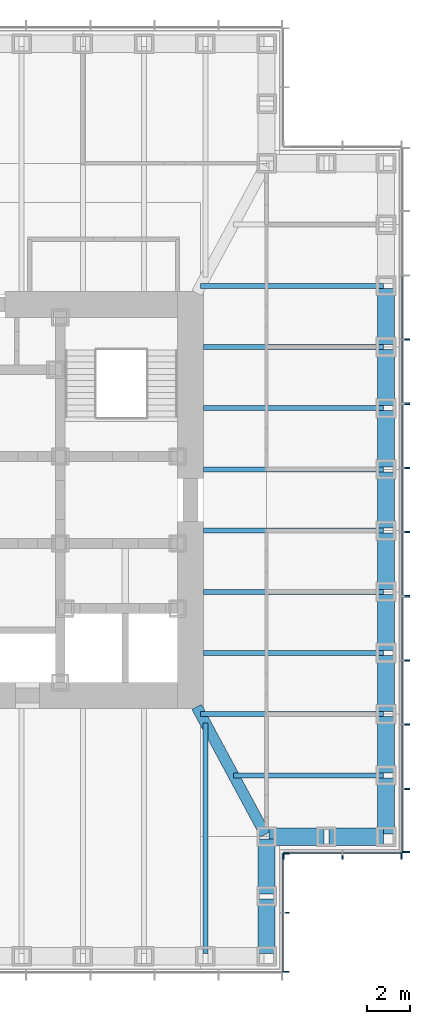
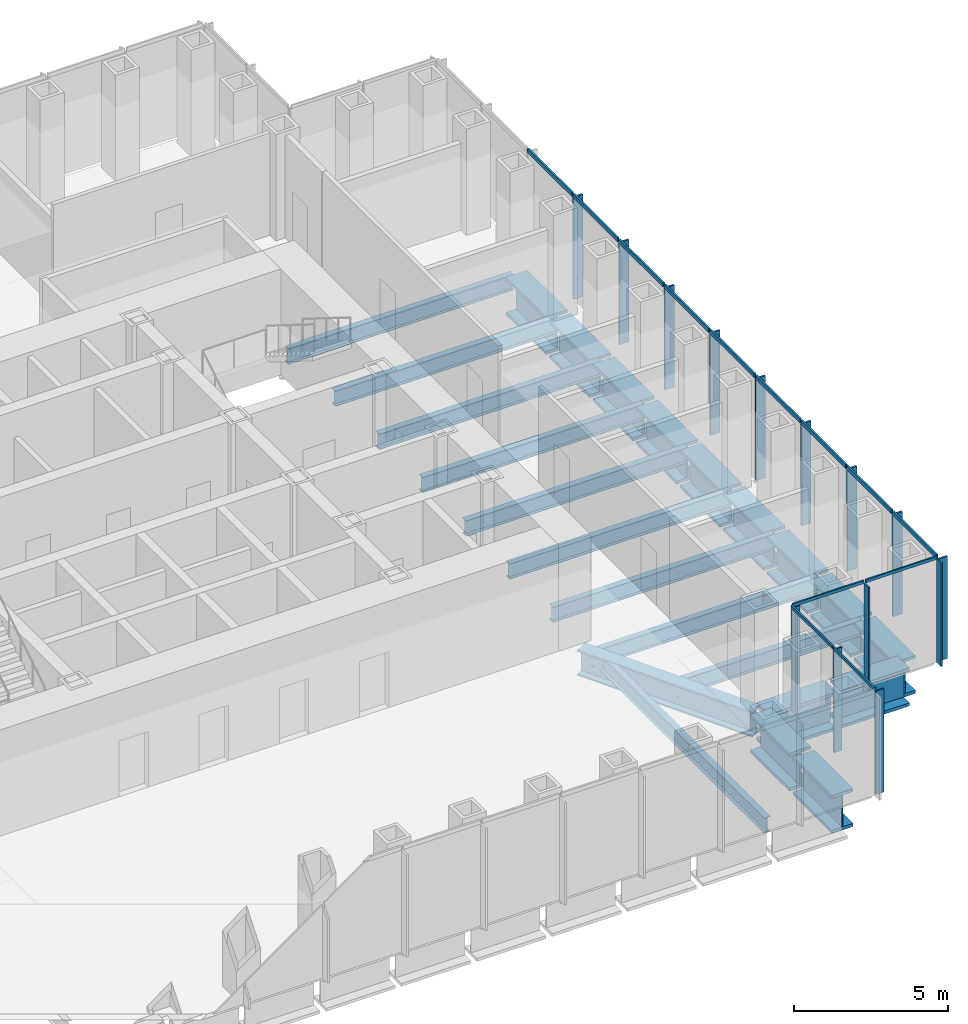
# One storey, part 4 of 16: 28 members, 24 beams, 3 elements without a shape of their own.
"""IFC4 building model written with IfcOpenShell, lengths in metres."""

from ifc_helpers import new_model, si_unit, direction, frame, origin, origin_2d, place, context, subcontext, project, spatial, rectangle, i_section, extrude, material, material_profile, profile_set, type_object, element, aggregate, save


model = new_model("IFC4")

# Units and contexts
model_context = context("Model", 3, precision=1e-05, world=origin(), true_north=direction((0.0, 1.0)))
body_context = subcontext(model_context, "Body", "Model", "MODEL_VIEW")
ifc_project = project(units=[si_unit("LENGTHUNIT", "METRE"), si_unit("AREAUNIT", "SQUARE_METRE"), si_unit("VOLUMEUNIT", "CUBIC_METRE"), si_unit("PLANEANGLEUNIT", "RADIAN"), si_unit("MASSUNIT", "GRAM", prefix="KILO")], contexts=[model_context])

# Site, building, storey
site_placement = place(None, origin())
site = spatial("IfcSite", under=ifc_project, at=site_placement, CompositionType="ELEMENT")
building_placement = place(site_placement, origin())
building = spatial("IfcBuilding", under=site, at=building_placement, Name="Daluyong Arena Tower", CompositionType="ELEMENT")
storey_placement = place(building_placement, frame((0.0, 0.0, 210.699951171875)))
storey = spatial("IfcBuildingStorey", under=building, at=storey_placement, Name="L47", CompositionType="ELEMENT", Elevation=210.699951171875)

# Curtain wall, members
ifc_material_1 = material(Name="Bronze anodised aluminium and glass", Category="aluminium")
curtain_wall_type_1 = type_object("IfcCurtainWallType", Name="Curtain wall CW3", PredefinedType="USERDEFINED", material=ifc_material_1)
curtain_wall_1_placement = place(storey_placement, origin())
curtain_wall_1 = element("IfcCurtainWall", 1, at=curtain_wall_1_placement, inside=storey, type_object=curtain_wall_type_1, Name="curtain wall L47 E", ObjectType="UNITISED CURTAIN WALL", PredefinedType="USERDEFINED")
ifc_material_2 = material(Name="Bronze anodised aluminium fin", Category="aluminium")
ifc_material_profile_1 = material_profile(ifc_material_2, rectangle(XDim=0.35009765625, YDim=0.070068359375, at=origin_2d()))
ifc_profile_set_1 = profile_set([ifc_material_profile_1], Name="Bronze anodised aluminium fin")
member_type_1 = type_object("IfcMemberType", Name="CW3 bronze fin 350x70", PredefinedType="MULLION", material=ifc_profile_set_1)
member_1_placement = place(storey_placement, frame((77.925048828125, 63.784912109375, 0.0), z_axis=(0.0, 0.0, 1.0), x_axis=(-1.0, 0.0, 0.0)))
member_1 = element("IfcMember", 2, at=member_1_placement, type_object=member_type_1, Name="curtain wall L47 E fin 1", PredefinedType="MULLION", context=body_context, shape_type="SweptSolid", body=[
    extrude(rectangle(XDim=0.35009765625, YDim=0.070068359375, at=origin_2d()), origin(), (0.0, 0.0, 1.0), 4.0400390625),
])
member_2_placement = place(storey_placement, frame((77.925048828125, 66.70458984375, 0.0), z_axis=(0.0, 0.0, 1.0), x_axis=(-1.0, 0.0, 0.0)))
member_2 = element("IfcMember", 3, at=member_2_placement, type_object=member_type_1, Name="curtain wall L47 E fin 2", PredefinedType="MULLION", context=body_context, shape_type="SweptSolid", body=[
    extrude(rectangle(XDim=0.35009765625, YDim=0.070068359375, at=origin_2d()), origin(), (0.0, 0.0, 1.0), 4.0400390625),
])
member_3_placement = place(storey_placement, frame((77.925048828125, 69.6591796875, 0.0), z_axis=(0.0, 0.0, 1.0), x_axis=(-1.0, 0.0, 0.0)))
member_3 = element("IfcMember", 4, at=member_3_placement, type_object=member_type_1, Name="curtain wall L47 E fin 3", PredefinedType="MULLION", context=body_context, shape_type="SweptSolid", body=[
    extrude(rectangle(XDim=0.35009765625, YDim=0.070068359375, at=origin_2d()), origin(), (0.0, 0.0, 1.0), 4.0400390625),
])
member_4_placement = place(storey_placement, frame((77.925048828125, 72.613525390625, 0.0), z_axis=(0.0, 0.0, 1.0), x_axis=(-1.0, 0.0, 0.0)))
member_4 = element("IfcMember", 5, at=member_4_placement, type_object=member_type_1, Name="curtain wall L47 E fin 4", PredefinedType="MULLION", context=body_context, shape_type="SweptSolid", body=[
    extrude(rectangle(XDim=0.35009765625, YDim=0.070068359375, at=origin_2d()), origin(), (0.0, 0.0, 1.0), 4.0400390625),
])
member_5_placement = place(storey_placement, frame((77.925048828125, 75.568115234375, 0.0), z_axis=(0.0, 0.0, 1.0), x_axis=(-1.0, 0.0, 0.0)))
member_5 = element("IfcMember", 6, at=member_5_placement, type_object=member_type_1, Name="curtain wall L47 E fin 5", PredefinedType="MULLION", context=body_context, shape_type="SweptSolid", body=[
    extrude(rectangle(XDim=0.35009765625, YDim=0.070068359375, at=origin_2d()), origin(), (0.0, 0.0, 1.0), 4.0400390625),
])
member_6_placement = place(storey_placement, frame((77.925048828125, 78.522705078125, 0.0), z_axis=(0.0, 0.0, 1.0), x_axis=(-1.0, 0.0, 0.0)))
member_6 = element("IfcMember", 7, at=member_6_placement, type_object=member_type_1, Name="curtain wall L47 E fin 6", PredefinedType="MULLION", context=body_context, shape_type="SweptSolid", body=[
    extrude(rectangle(XDim=0.35009765625, YDim=0.070068359375, at=origin_2d()), origin(), (0.0, 0.0, 1.0), 4.0400390625),
])
member_7_placement = place(storey_placement, frame((77.925048828125, 81.477294921875, 0.0), z_axis=(0.0, 0.0, 1.0), x_axis=(-1.0, 0.0, 0.0)))
member_7 = element("IfcMember", 8, at=member_7_placement, type_object=member_type_1, Name="curtain wall L47 E fin 7", PredefinedType="MULLION", context=body_context, shape_type="SweptSolid", body=[
    extrude(rectangle(XDim=0.35009765625, YDim=0.070068359375, at=origin_2d()), origin(), (0.0, 0.0, 1.0), 4.0400390625),
])
member_8_placement = place(storey_placement, frame((77.925048828125, 84.431884765625, 0.0), z_axis=(0.0, 0.0, 1.0), x_axis=(-1.0, 0.0, 0.0)))
member_8 = element("IfcMember", 9, at=member_8_placement, type_object=member_type_1, Name="curtain wall L47 E fin 8", PredefinedType="MULLION", context=body_context, shape_type="SweptSolid", body=[
    extrude(rectangle(XDim=0.35009765625, YDim=0.070068359375, at=origin_2d()), origin(), (0.0, 0.0, 1.0), 4.0400390625),
])
member_9_placement = place(storey_placement, frame((77.925048828125, 87.386474609375, 0.0), z_axis=(0.0, 0.0, 1.0), x_axis=(-1.0, 0.0, 0.0)))
member_9 = element("IfcMember", 10, at=member_9_placement, type_object=member_type_1, Name="curtain wall L47 E fin 9", PredefinedType="MULLION", context=body_context, shape_type="SweptSolid", body=[
    extrude(rectangle(XDim=0.35009765625, YDim=0.070068359375, at=origin_2d()), origin(), (0.0, 0.0, 1.0), 4.0400390625),
])
ifc_material_3 = material(Name="Bronze anodised aluminium", Category="aluminium")
ifc_material_profile_2 = material_profile(ifc_material_3, rectangle(XDim=0.070068359375, YDim=0.159912109375, at=origin_2d()))
ifc_profile_set_2 = profile_set([ifc_material_profile_2], Name="Bronze anodised aluminium")
member_type_2 = type_object("IfcMemberType", Name="CW3 stack transom 160x70", PredefinedType="USERDEFINED", material=ifc_profile_set_2)
member_10_placement = place(storey_placement, frame((77.75, 63.820068359375, 4.1201171875), z_axis=(0.0, 1.0, 0.0), x_axis=(-1.0, 0.0, 0.0)))
member_10 = element("IfcMember", 11, at=member_10_placement, type_object=member_type_2, Name="curtain wall L47 E transom 1", ObjectType="TRANSOM", PredefinedType="USERDEFINED", context=body_context, shape_type="SweptSolid", body=[
    extrude(rectangle(XDim=0.070068359375, YDim=0.159912109375, at=origin_2d()), origin(), (0.0, 0.0, 1.0), 2.849365234375),
])
member_11_placement = place(storey_placement, frame((77.75, 66.739501953125, 4.1201171875), z_axis=(0.0, 1.0, 0.0), x_axis=(-1.0, 0.0, 0.0)))
member_11 = element("IfcMember", 12, at=member_11_placement, type_object=member_type_2, Name="curtain wall L47 E transom 2", ObjectType="TRANSOM", PredefinedType="USERDEFINED", context=body_context, shape_type="SweptSolid", body=[
    extrude(rectangle(XDim=0.070068359375, YDim=0.159912109375, at=origin_2d()), origin(), (0.0, 0.0, 1.0), 2.884521484375),
])
member_12_placement = place(storey_placement, frame((77.75, 69.694091796875, 4.1201171875), z_axis=(0.0, 1.0, 0.0), x_axis=(-1.0, 0.0, 0.0)))
member_12 = element("IfcMember", 13, at=member_12_placement, type_object=member_type_2, Name="curtain wall L47 E transom 3", ObjectType="TRANSOM", PredefinedType="USERDEFINED", context=body_context, shape_type="SweptSolid", body=[
    extrude(rectangle(XDim=0.070068359375, YDim=0.159912109375, at=origin_2d()), origin(), (0.0, 0.0, 1.0), 2.884521484375),
])
member_13_placement = place(storey_placement, frame((77.75, 72.648681640625, 4.1201171875), z_axis=(0.0, 1.0, 0.0), x_axis=(-1.0, 0.0, 0.0)))
member_13 = element("IfcMember", 14, at=member_13_placement, type_object=member_type_2, Name="curtain wall L47 E transom 4", ObjectType="TRANSOM", PredefinedType="USERDEFINED", context=body_context, shape_type="SweptSolid", body=[
    extrude(rectangle(XDim=0.070068359375, YDim=0.159912109375, at=origin_2d()), origin(), (0.0, 0.0, 1.0), 2.884521484375),
])
member_14_placement = place(storey_placement, frame((77.75, 75.603271484375, 4.1201171875), z_axis=(0.0, 1.0, 0.0), x_axis=(-1.0, 0.0, 0.0)))
member_14 = element("IfcMember", 15, at=member_14_placement, type_object=member_type_2, Name="curtain wall L47 E transom 5", ObjectType="TRANSOM", PredefinedType="USERDEFINED", context=body_context, shape_type="SweptSolid", body=[
    extrude(rectangle(XDim=0.070068359375, YDim=0.159912109375, at=origin_2d()), origin(), (0.0, 0.0, 1.0), 2.884521484375),
])
member_15_placement = place(storey_placement, frame((77.75, 78.5576171875, 4.1201171875), z_axis=(0.0, 1.0, 0.0), x_axis=(-1.0, 0.0, 0.0)))
member_15 = element("IfcMember", 16, at=member_15_placement, type_object=member_type_2, Name="curtain wall L47 E transom 6", ObjectType="TRANSOM", PredefinedType="USERDEFINED", context=body_context, shape_type="SweptSolid", body=[
    extrude(rectangle(XDim=0.070068359375, YDim=0.159912109375, at=origin_2d()), origin(), (0.0, 0.0, 1.0), 2.884765625),
])
member_16_placement = place(storey_placement, frame((77.75, 81.51220703125, 4.1201171875), z_axis=(0.0, 1.0, 0.0), x_axis=(-1.0, 0.0, 0.0)))
member_16 = element("IfcMember", 17, at=member_16_placement, type_object=member_type_2, Name="curtain wall L47 E transom 7", ObjectType="TRANSOM", PredefinedType="USERDEFINED", context=body_context, shape_type="SweptSolid", body=[
    extrude(rectangle(XDim=0.070068359375, YDim=0.159912109375, at=origin_2d()), origin(), (0.0, 0.0, 1.0), 2.884521484375),
])
member_17_placement = place(storey_placement, frame((77.75, 84.466796875, 4.1201171875), z_axis=(0.0, 1.0, 0.0), x_axis=(-1.0, 0.0, 0.0)))
member_17 = element("IfcMember", 18, at=member_17_placement, type_object=member_type_2, Name="curtain wall L47 E transom 8", ObjectType="TRANSOM", PredefinedType="USERDEFINED", context=body_context, shape_type="SweptSolid", body=[
    extrude(rectangle(XDim=0.070068359375, YDim=0.159912109375, at=origin_2d()), origin(), (0.0, 0.0, 1.0), 2.884521484375),
])
member_18_placement = place(storey_placement, frame((77.75, 87.42138671875, 4.1201171875), z_axis=(0.0, 1.0, 0.0), x_axis=(-1.0, 0.0, 0.0)))
member_18 = element("IfcMember", 19, at=member_18_placement, type_object=member_type_2, Name="curtain wall L47 E transom 9", ObjectType="TRANSOM", PredefinedType="USERDEFINED", context=body_context, shape_type="SweptSolid", body=[
    extrude(rectangle(XDim=0.070068359375, YDim=0.159912109375, at=origin_2d()), origin(), (0.0, 0.0, 1.0), 2.884521484375),
])
aggregate(curtain_wall_1, [member_1, member_2, member_3, member_4, member_5, member_6, member_7, member_8, member_9, member_10, member_11, member_12, member_13, member_14, member_15, member_16, member_17, member_18])

ifc_material_4 = material(Name="Bronze anodised aluminium and glass", Category="aluminium")
curtain_wall_type_2 = type_object("IfcCurtainWallType", Name="Curtain wall CW7", PredefinedType="USERDEFINED", material=ifc_material_4)
curtain_wall_2_placement = place(storey_placement, origin())
curtain_wall_2 = element("IfcCurtainWall", 20, at=curtain_wall_2_placement, inside=storey, type_object=curtain_wall_type_2, Name="curtain wall L47 SE-E", ObjectType="UNITISED CURTAIN WALL", PredefinedType="USERDEFINED")
ifc_material_5 = material(Name="Bronze anodised aluminium fin", Category="aluminium")
ifc_material_profile_3 = material_profile(ifc_material_5, rectangle(XDim=0.300048828125, YDim=0.06005859375, at=origin_2d()))
ifc_profile_set_3 = profile_set([ifc_material_profile_3], Name="Bronze anodised aluminium fin")
member_type_3 = type_object("IfcMemberType", Name="CW7 bronze fin 300x60", PredefinedType="MULLION", material=ifc_profile_set_3)
member_19_placement = place(storey_placement, frame((72.39990234375, 58.280029296875, 0.0), z_axis=(0.0, 0.0, 1.0), x_axis=(-1.0, 0.0, 0.0)))
member_19 = element("IfcMember", 21, at=member_19_placement, type_object=member_type_3, Name="curtain wall L47 SE-E fin 1", PredefinedType="MULLION", context=body_context, shape_type="SweptSolid", body=[
    extrude(rectangle(XDim=0.300048828125, YDim=0.06005859375, at=origin_2d()), origin(), (0.0, 0.0, 1.0), 4.080078125),
])
member_20_placement = place(storey_placement, frame((72.39990234375, 61.0, 0.0), z_axis=(0.0, 0.0, 1.0), x_axis=(-1.0, 0.0, 0.0)))
member_20 = element("IfcMember", 22, at=member_20_placement, type_object=member_type_3, Name="curtain wall L47 SE-E fin 2", PredefinedType="MULLION", context=body_context, shape_type="SweptSolid", body=[
    extrude(rectangle(XDim=0.300048828125, YDim=0.06005859375, at=origin_2d()), origin(), (0.0, 0.0, 1.0), 4.080078125),
])
member_21_placement = place(storey_placement, frame((72.39990234375, 63.719970703125, 0.0), z_axis=(0.0, 0.0, 1.0), x_axis=(-1.0, 0.0, 0.0)))
member_21 = element("IfcMember", 23, at=member_21_placement, type_object=member_type_3, Name="curtain wall L47 SE-E fin 3", PredefinedType="MULLION", context=body_context, shape_type="SweptSolid", body=[
    extrude(rectangle(XDim=0.300048828125, YDim=0.06005859375, at=origin_2d()), origin(), (0.0, 0.0, 1.0), 4.080078125),
])

curtain_wall_3_placement = place(storey_placement, origin())
curtain_wall_3 = element("IfcCurtainWall", 24, at=curtain_wall_3_placement, inside=storey, type_object=curtain_wall_type_2, Name="curtain wall L47 SE-S", ObjectType="UNITISED CURTAIN WALL", PredefinedType="USERDEFINED")
member_22_placement = place(storey_placement, frame((72.280029296875, 63.60009765625, 0.0), z_axis=(0.0, 0.0, 1.0), x_axis=(0.0, 1.0, 0.0)))
member_22 = element("IfcMember", 25, at=member_22_placement, type_object=member_type_3, Name="curtain wall L47 SE-S fin 1", PredefinedType="MULLION", context=body_context, shape_type="SweptSolid", body=[
    extrude(rectangle(XDim=0.300048828125, YDim=0.06005859375, at=origin_2d()), origin(), (0.0, 0.0, 1.0), 4.080078125),
])
member_23_placement = place(storey_placement, frame((75.0, 63.60009765625, 0.0), z_axis=(0.0, 0.0, 1.0), x_axis=(0.0, 1.0, 0.0)))
member_23 = element("IfcMember", 26, at=member_23_placement, type_object=member_type_3, Name="curtain wall L47 SE-S fin 2", PredefinedType="MULLION", context=body_context, shape_type="SweptSolid", body=[
    extrude(rectangle(XDim=0.300048828125, YDim=0.06005859375, at=origin_2d()), origin(), (0.0, 0.0, 1.0), 4.080078125),
])
member_24_placement = place(storey_placement, frame((77.719970703125, 63.60009765625, 0.0), z_axis=(0.0, 0.0, 1.0), x_axis=(0.0, 1.0, 0.0)))
member_24 = element("IfcMember", 27, at=member_24_placement, type_object=member_type_3, Name="curtain wall L47 SE-S fin 3", PredefinedType="MULLION", context=body_context, shape_type="SweptSolid", body=[
    extrude(rectangle(XDim=0.300048828125, YDim=0.06005859375, at=origin_2d()), origin(), (0.0, 0.0, 1.0), 4.080078125),
])

# Member
ifc_material_6 = material(Name="Bronze anodised aluminium", Category="aluminium")
ifc_material_profile_4 = material_profile(ifc_material_6, rectangle(XDim=0.06005859375, YDim=0.1201171875, at=origin_2d()))
ifc_profile_set_4 = profile_set([ifc_material_profile_4], Name="Bronze anodised aluminium")
member_type_4 = type_object("IfcMemberType", Name="CW7 stack transom 120x60", PredefinedType="USERDEFINED", material=ifc_profile_set_4)
member_25_placement = place(storey_placement, frame((72.25, 58.31005859375, 4.14013671875), z_axis=(0.0, 1.0, 0.0), x_axis=(-1.0, 0.0, 0.0)))
member_25 = element("IfcMember", 28, at=member_25_placement, type_object=member_type_4, Name="curtain wall L47 SE-E transom 1", ObjectType="TRANSOM", PredefinedType="USERDEFINED", context=body_context, shape_type="SweptSolid", body=[
    extrude(rectangle(XDim=0.06005859375, YDim=0.1201171875, at=origin_2d()), origin(), (0.0, 0.0, 1.0), 2.659912109375),
])

member_26_placement = place(storey_placement, frame((72.25, 61.030029296875, 4.14013671875), z_axis=(0.0, 1.0, 0.0), x_axis=(-1.0, 0.0, 0.0)))
member_26 = element("IfcMember", 29, at=member_26_placement, type_object=member_type_4, Name="curtain wall L47 SE-E transom 2", ObjectType="TRANSOM", PredefinedType="USERDEFINED", context=body_context, shape_type="SweptSolid", body=[
    extrude(rectangle(XDim=0.06005859375, YDim=0.1201171875, at=origin_2d()), origin(), (0.0, 0.0, 1.0), 2.659912109375),
])

aggregate(curtain_wall_2, [member_19, member_20, member_21, member_25, member_26])

member_27_placement = place(storey_placement, frame((72.31005859375, 63.75, 4.14013671875), z_axis=(1.0, 0.0, 0.0), x_axis=(0.0, 1.0, 0.0)))
member_27 = element("IfcMember", 30, at=member_27_placement, type_object=member_type_4, Name="curtain wall L47 SE-S transom 1", ObjectType="TRANSOM", PredefinedType="USERDEFINED", context=body_context, shape_type="SweptSolid", body=[
    extrude(rectangle(XDim=0.06005859375, YDim=0.1201171875, at=origin_2d()), origin(), (0.0, 0.0, 1.0), 2.659912109375),
])

member_28_placement = place(storey_placement, frame((75.030029296875, 63.75, 4.14013671875), z_axis=(1.0, 0.0, 0.0), x_axis=(0.0, 1.0, 0.0)))
member_28 = element("IfcMember", 31, at=member_28_placement, type_object=member_type_4, Name="curtain wall L47 SE-S transom 2", ObjectType="TRANSOM", PredefinedType="USERDEFINED", context=body_context, shape_type="SweptSolid", body=[
    extrude(rectangle(XDim=0.06005859375, YDim=0.1201171875, at=origin_2d()), origin(), (0.0, 0.0, 1.0), 2.659912109375),
])

aggregate(curtain_wall_3, [member_22, member_23, member_24, member_27, member_28])

# Beams
ifc_material_7 = material(Name="Steel ASTM A572 Grade 50", Category="steel")
ifc_material_profile_5 = material_profile(ifc_material_7, i_section(OverallWidth=0.5, OverallDepth=1.0, WebThickness=0.03, FlangeThickness=0.06, at=origin_2d()))
ifc_profile_set_5 = profile_set([ifc_material_profile_5], Name="Steel ASTM A572 Grade 50")
beam_type_1 = type_object("IfcBeamType", Name="Corner girder TB1000X500", PredefinedType="BEAM", material=ifc_profile_set_5)
beam_1_placement = place(storey_placement, frame((71.445556640625, 64.601318359375, -0.659912109375), z_axis=(-0.474119475266, 0.880460517669, 0.0), x_axis=(-0.880460517669, -0.474119475266, 0.0)))
element("IfcBeam", 32, at=beam_1_placement, inside=storey, type_object=beam_type_1, Name="corner girder DG2", PredefinedType="BEAM", context=body_context, shape_type="SweptSolid", body=[
    extrude(i_section(OverallWidth=0.5, OverallDepth=1.0, WebThickness=0.03, FlangeThickness=0.06, at=origin_2d()), origin(), (0.0, 0.0, 1.0), 6.66748046875),
])
ifc_material_8 = material(Name="Steel ASTM A992 Grade 50", Category="steel")
ifc_material_profile_6 = material_profile(ifc_material_8, i_section(OverallWidth=0.22900390625, OverallDepth=0.612060546875, WebThickness=0.011962890625, FlangeThickness=0.01953125, at=origin_2d()))
ifc_profile_set_6 = profile_set([ifc_material_profile_6], Name="Steel ASTM A992 Grade 50")
beam_type_2 = type_object("IfcBeamType", Name="Floor beam W24X84", PredefinedType="BEAM", material=ifc_profile_set_6)
beam_2_placement = place(storey_placement, frame((68.681884765625, 59.114990234375, -0.466064453125), z_axis=(0.0, 1.0, 0.0), x_axis=(-1.0, 0.0, 0.0)))
element("IfcBeam", 33, at=beam_2_placement, inside=storey, type_object=beam_type_2, Name="floor beam FB3", PredefinedType="BEAM", context=body_context, shape_type="SweptSolid", body=[
    extrude(i_section(OverallWidth=0.22900390625, OverallDepth=0.612060546875, WebThickness=0.011962890625, FlangeThickness=0.01953125, at=origin_2d()), origin(), (0.0, 0.0, 1.0), 10.618896484375),
])
beam_3_placement = place(storey_placement, frame((76.885009765625, 67.318115234375, -0.466064453125), z_axis=(-1.0, 0.0, 0.0), x_axis=(0.0, -1.0, 0.0)))
element("IfcBeam", 34, at=beam_3_placement, inside=storey, type_object=beam_type_2, Name="floor beam FB3", PredefinedType="BEAM", context=body_context, shape_type="SweptSolid", body=[
    extrude(i_section(OverallWidth=0.22900390625, OverallDepth=0.612060546875, WebThickness=0.011962890625, FlangeThickness=0.01953125, at=origin_2d()), origin(), (0.0, 0.0, 1.0), 6.902587890625),
])
beam_4_placement = place(storey_placement, frame((76.885009765625, 70.136474609375, -0.466064453125), z_axis=(-1.0, 0.0, 0.0), x_axis=(0.0, -1.0, 0.0)))
element("IfcBeam", 35, at=beam_4_placement, inside=storey, type_object=beam_type_2, Name="floor beam FB3", PredefinedType="BEAM", context=body_context, shape_type="SweptSolid", body=[
    extrude(i_section(OverallWidth=0.22900390625, OverallDepth=0.612060546875, WebThickness=0.011962890625, FlangeThickness=0.01953125, at=origin_2d()), origin(), (0.0, 0.0, 1.0), 8.419921875),
])
for number, where, z_axis, x_axis, name in (
    (36, (76.885009765625, 72.95458984375, -0.466064453125), (-1.0, 0.0, 0.0), (0.0, -1.0, 0.0), "floor beam FB3"),
    (37, (76.885009765625, 75.772705078125, -0.466064453125), (-1.0, 0.0, 0.0), (0.0, -1.0, 0.0), "floor beam FB3"),
    (38, (76.885009765625, 78.5908203125, -0.466064453125), (-1.0, 0.0, 0.0), (0.0, -1.0, 0.0), "floor beam FB3"),
    (39, (76.885009765625, 81.4091796875, -0.466064453125), (-1.0, 0.0, 0.0), (0.0, -1.0, 0.0), "floor beam FB3"),
    (40, (76.885009765625, 84.227294921875, -0.466064453125), (-1.0, 0.0, 0.0), (0.0, -1.0, 0.0), "floor beam FB3"),
    (41, (76.885009765625, 87.04541015625, -0.466064453125), (-1.0, 0.0, 0.0), (0.0, -1.0, 0.0), "floor beam FB3"),
):
    element("IfcBeam", number, at=place(storey_placement, frame(where, z_axis=z_axis, x_axis=x_axis)), inside=storey, type_object=beam_type_2, Name=name, PredefinedType="BEAM", context=body_context, shape_type="SweptSolid", body=[
        extrude(i_section(OverallWidth=0.22900390625, OverallDepth=0.612060546875, WebThickness=0.011962890625, FlangeThickness=0.01953125, at=origin_2d()), origin(), (0.0, 0.0, 1.0), 8.284912109375),
    ])
beam_5_placement = place(storey_placement, frame((76.885009765625, 89.863525390625, -0.466064453125), z_axis=(-1.0, 0.0, 0.0), x_axis=(0.0, -1.0, 0.0)))
element("IfcBeam", 42, at=beam_5_placement, inside=storey, type_object=beam_type_2, Name="floor beam FB3", PredefinedType="BEAM", context=body_context, shape_type="SweptSolid", body=[
    extrude(i_section(OverallWidth=0.22900390625, OverallDepth=0.612060546875, WebThickness=0.011962890625, FlangeThickness=0.01953125, at=origin_2d()), origin(), (0.0, 0.0, 1.0), 8.419921875),
])
ifc_material_9 = material(Name="Steel ASTM A588 Grade 50", Category="steel")
ifc_material_profile_7 = material_profile(ifc_material_9, i_section(OverallWidth=0.800048828125, OverallDepth=1.5, WebThickness=0.05, FlangeThickness=0.12, at=origin_2d()))
ifc_profile_set_7 = profile_set([ifc_material_profile_7], Name="Steel ASTM A588 Grade 50")
beam_type_3 = type_object("IfcBeamType", Name="Spandrel Z3 PG1500X800", PredefinedType="SPANDREL", material=ifc_profile_set_7)
for number, where, z_axis, x_axis, name in (
    (43, (71.5, 59.114990234375, -0.909912109375), (0.0, 1.0, 0.0), (-1.0, 0.0, 0.0), "spandrel z3 SB7"),
    (44, (71.5, 61.864990234375, -0.909912109375), (0.0, 1.0, 0.0), (-1.0, 0.0, 0.0), "spandrel z3 SB7"),
    (45, (71.614990234375, 64.5, -0.909912109375), (1.0, 0.0, 0.0), (0.0, 1.0, 0.0), "spandrel z3 SB7"),
    (46, (74.364990234375, 64.5, -0.909912109375), (1.0, 0.0, 0.0), (0.0, 1.0, 0.0), "spandrel z3 SB7"),
):
    element("IfcBeam", number, at=place(storey_placement, frame(where, z_axis=z_axis, x_axis=x_axis)), inside=storey, type_object=beam_type_3, Name=name, PredefinedType="SPANDREL", context=body_context, shape_type="SweptSolid", body=[
        extrude(i_section(OverallWidth=0.800048828125, OverallDepth=1.5, WebThickness=0.05, FlangeThickness=0.12, at=origin_2d()), origin(), (0.0, 0.0, 1.0), 2.52001953125),
    ])
beam_6_placement = place(storey_placement, frame((77.0, 64.614990234375, -0.909912109375), z_axis=(0.0, 1.0, 0.0), x_axis=(-1.0, 0.0, 0.0)))
element("IfcBeam", 47, at=beam_6_placement, inside=storey, type_object=beam_type_3, Name="spandrel z3 SB7", PredefinedType="SPANDREL", context=body_context, shape_type="SweptSolid", body=[
    extrude(i_section(OverallWidth=0.800048828125, OverallDepth=1.5, WebThickness=0.05, FlangeThickness=0.12, at=origin_2d()), origin(), (0.0, 0.0, 1.0), 2.588134765625),
])
beam_7_placement = place(storey_placement, frame((77.0, 67.43310546875, -0.909912109375), z_axis=(0.0, 1.0, 0.0), x_axis=(-1.0, 0.0, 0.0)))
element("IfcBeam", 48, at=beam_7_placement, inside=storey, type_object=beam_type_3, Name="spandrel z3 SB7", PredefinedType="SPANDREL", context=body_context, shape_type="SweptSolid", body=[
    extrude(i_section(OverallWidth=0.800048828125, OverallDepth=1.5, WebThickness=0.05, FlangeThickness=0.12, at=origin_2d()), origin(), (0.0, 0.0, 1.0), 2.58837890625),
])
for number, where, z_axis, x_axis, name in (
    (49, (77.0, 70.25146484375, -0.909912109375), (0.0, 1.0, 0.0), (-1.0, 0.0, 0.0), "spandrel z3 SB7"),
    (50, (77.0, 73.069580078125, -0.909912109375), (0.0, 1.0, 0.0), (-1.0, 0.0, 0.0), "spandrel z3 SB7"),
    (51, (77.0, 75.8876953125, -0.909912109375), (0.0, 1.0, 0.0), (-1.0, 0.0, 0.0), "spandrel z3 SB7"),
):
    element("IfcBeam", number, at=place(storey_placement, frame(where, z_axis=z_axis, x_axis=x_axis)), inside=storey, type_object=beam_type_3, Name=name, PredefinedType="SPANDREL", context=body_context, shape_type="SweptSolid", body=[
        extrude(i_section(OverallWidth=0.800048828125, OverallDepth=1.5, WebThickness=0.05, FlangeThickness=0.12, at=origin_2d()), origin(), (0.0, 0.0, 1.0), 2.588134765625),
    ])
beam_8_placement = place(storey_placement, frame((77.0, 78.705810546875, -0.909912109375), z_axis=(0.0, 1.0, 0.0), x_axis=(-1.0, 0.0, 0.0)))
element("IfcBeam", 52, at=beam_8_placement, inside=storey, type_object=beam_type_3, Name="spandrel z3 SB7", PredefinedType="SPANDREL", context=body_context, shape_type="SweptSolid", body=[
    extrude(i_section(OverallWidth=0.800048828125, OverallDepth=1.5, WebThickness=0.05, FlangeThickness=0.12, at=origin_2d()), origin(), (0.0, 0.0, 1.0), 2.58837890625),
])
for number, where, z_axis, x_axis, name in (
    (53, (77.0, 81.524169921875, -0.909912109375), (0.0, 1.0, 0.0), (-1.0, 0.0, 0.0), "spandrel z3 SB7"),
    (54, (77.0, 84.34228515625, -0.909912109375), (0.0, 1.0, 0.0), (-1.0, 0.0, 0.0), "spandrel z3 SB7"),
    (55, (77.0, 87.160400390625, -0.909912109375), (0.0, 1.0, 0.0), (-1.0, 0.0, 0.0), "spandrel z3 SB7"),
):
    element("IfcBeam", number, at=place(storey_placement, frame(where, z_axis=z_axis, x_axis=x_axis)), inside=storey, type_object=beam_type_3, Name=name, PredefinedType="SPANDREL", context=body_context, shape_type="SweptSolid", body=[
        extrude(i_section(OverallWidth=0.800048828125, OverallDepth=1.5, WebThickness=0.05, FlangeThickness=0.12, at=origin_2d()), origin(), (0.0, 0.0, 1.0), 2.588134765625),
    ])

save(model, "model.ifc")
